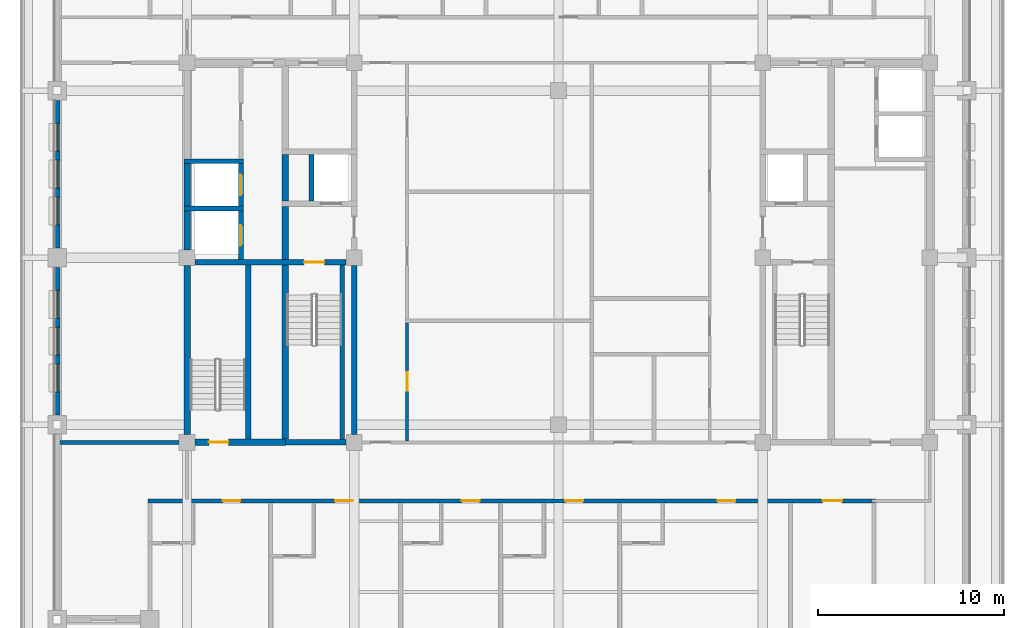
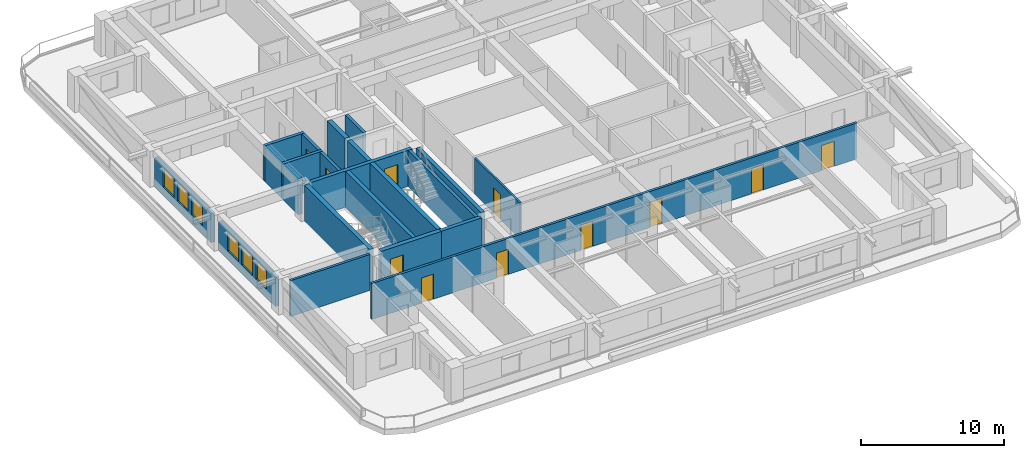
# One storey, part 3 of 14: 22 walls, 11 doors, 6 windows, 17 openings.
"""IFC4 building model written with IfcOpenShell, lengths in metres."""

from ifc_helpers import new_model, si_unit, direction, frame, frame_2d, origin, place, context, subcontext, project, spatial, rectangle, extrude, material, layer, layer_set, type_object, element, fill, save


model = new_model("IFC4")

# Units and contexts
model_context = context("Model", 3, precision=1e-05, world=origin(), true_north=direction((0.0, 1.0)))
body_context = subcontext(model_context, "Body", "Model", "MODEL_VIEW")
ifc_project = project(units=[si_unit("LENGTHUNIT", "METRE"), si_unit("AREAUNIT", "SQUARE_METRE"), si_unit("VOLUMEUNIT", "CUBIC_METRE"), si_unit("PLANEANGLEUNIT", "RADIAN"), si_unit("MASSUNIT", "GRAM", prefix="KILO")], contexts=[model_context])

# Site, building, storey
site_placement = place(None, origin())
site = spatial("IfcSite", under=ifc_project, at=site_placement, CompositionType="ELEMENT")
building_placement = place(site_placement, origin())
building = spatial("IfcBuilding", under=site, at=building_placement, Name="Zulmaris Gate Convention Tower", CompositionType="ELEMENT")
storey_placement = place(building_placement, frame((0.0, 0.0, 208.4599609375)))
storey = spatial("IfcBuildingStorey", under=building, at=storey_placement, Name="L54", CompositionType="ELEMENT", Elevation=208.4599609375)

# Walls
ifc_material_1 = material(Name="Concrete C50/60", Category="concrete")
ifc_layer_1 = layer(ifc_material_1, 0.25, Name="Concrete C50/60")
ifc_layer_set_1 = layer_set([ifc_layer_1], Name="Concrete C50/60")
wall_type_1 = type_object("IfcWallType", Name="CORE-250", PredefinedType="SOLIDWALL", material=ifc_layer_set_1)
for number, where, z_axis, x_axis, name in (
    (1, (-20.175048828125, 2.64990234375, 0.0), (0.0, 0.0, 1.0), (1.0, 0.0, 0.0), "WL-L54-007"),
    (2, (-20.175048828125, 5.199951171875, 0.0), (0.0, 0.0, 1.0), (1.0, 0.0, 0.0), "WL-L54-010"),
):
    element("IfcWall", number, at=place(storey_placement, frame(where, z_axis=z_axis, x_axis=x_axis)), inside=storey, type_object=wall_type_1, Name=name, PredefinedType="SOLIDWALL", context=body_context, shape_type="SweptSolid", body=[
        extrude(rectangle(XDim=3.199951171875, YDim=0.25, at=frame_2d((1.60009765625, 0.0))), origin(), (0.0, 0.0, 1.0), 3.074951171875),
    ])

# Wall, opening, door
wall_1_placement = place(storey_placement, frame((-17.10009765625, -0.097900390625, 0.0), z_axis=(0.0, 0.0, 1.0), x_axis=(0.0, 1.0, 0.0)))
wall_1 = element("IfcWall", 3, at=wall_1_placement, inside=storey, type_object=wall_type_1, Name="WL-L54-046", PredefinedType="SOLIDWALL", context=body_context, shape_type="SweptSolid", body=[
    extrude(rectangle(XDim=2.620849609375, YDim=0.25, at=frame_2d((1.310546875, 0.0))), origin(), (0.0, 0.0, 1.0), 3.074951171875),
])
opening_1_placement = place(wall_1_placement, frame((0.748046875, 0.0, 0.0)))
opening_1 = element("IfcOpeningElement", 4, at=opening_1_placement, cuts=wall_1, Name="Opening D-06", PredefinedType="OPENING", context=body_context, shape_type="SweptSolid", body=[
    extrude(rectangle(XDim=1.10009765625, YDim=2.199951171875, at=frame_2d((0.550048828125, 1.10009765625))), frame((0.0, 0.135009765625, 0.0), z_axis=(0.0, -1.0, 0.0), x_axis=(1.0, 0.0, 0.0)), (0.0, 0.0, 1.0), 0.27001953125),
])
ifc_material_2 = material(Name="Brushed Stainless Steel", Category="steel")
door_type_1 = type_object("IfcDoorType", Name="LD-1100", OperationType="NOTDEFINED", PredefinedType="DOOR", material=ifc_material_2)
door_1_placement = place(opening_1_placement, origin())
door_1 = element("IfcDoor", 5, at=door_1_placement, inside=storey, type_object=door_type_1, Name="L54 Lift Landing Door HP-03 10", OperationType="SLIDING_TO_LEFT", OverallHeight=2.199951171875, OverallWidth=1.10009765625, PredefinedType="DOOR", context=body_context, shape_type="SweptSolid", body=[
    extrude(rectangle(XDim=1.10009765625, YDim=2.199951171875, at=frame_2d((0.550048828125, 1.10009765625))), frame((0.0, 0.02490234375, 0.0), z_axis=(0.0, -1.0, 0.0), x_axis=(1.0, 0.0, 0.0)), (0.0, 0.0, 1.0), 0.050048828125),
])
fill(opening_1, door_1)

wall_2_placement = place(storey_placement, frame((-17.10009765625, 2.777099609375, 0.0), z_axis=(0.0, 0.0, 1.0), x_axis=(0.0, 1.0, 0.0)))
wall_2 = element("IfcWall", 6, at=wall_2_placement, inside=storey, type_object=wall_type_1, Name="WL-L54-047", PredefinedType="SOLIDWALL", context=body_context, shape_type="SweptSolid", body=[
    extrude(rectangle(XDim=2.2958984375, YDim=0.25, at=frame_2d((1.14794921875, 0.0))), origin(), (0.0, 0.0, 1.0), 3.074951171875),
])
opening_2_placement = place(wall_2_placement, frame((0.597900390625, 0.0, 0.0)))
opening_2 = element("IfcOpeningElement", 7, at=opening_2_placement, cuts=wall_2, Name="Opening D-06", PredefinedType="OPENING", context=body_context, shape_type="SweptSolid", body=[
    extrude(rectangle(XDim=1.10009765625, YDim=2.199951171875, at=frame_2d((0.550048828125, 1.10009765625))), frame((0.0, 0.135009765625, 0.0), z_axis=(0.0, -1.0, 0.0), x_axis=(1.0, 0.0, 0.0)), (0.0, 0.0, 1.0), 0.27001953125),
])
door_2_placement = place(opening_2_placement, origin())
door_2 = element("IfcDoor", 8, at=door_2_placement, inside=storey, type_object=door_type_1, Name="L54 Lift Landing Door HP-04 11", OperationType="SLIDING_TO_LEFT", OverallHeight=2.199951171875, OverallWidth=1.10009765625, PredefinedType="DOOR", context=body_context, shape_type="SweptSolid", body=[
    extrude(rectangle(XDim=1.10009765625, YDim=2.199951171875, at=frame_2d((0.550048828125, 1.10009765625))), frame((0.0, 0.02490234375, 0.0), z_axis=(0.0, -1.0, 0.0), x_axis=(1.0, 0.0, 0.0)), (0.0, 0.0, 1.0), 0.050048828125),
])
fill(opening_2, door_2)

# Walls
wall_3_placement = place(storey_placement, frame((-13.300048828125, 3.052001953125, 0.0), z_axis=(0.0, 0.0, 1.0), x_axis=(0.0, 1.0, 0.0)))
element("IfcWall", 9, at=wall_3_placement, inside=storey, type_object=wall_type_1, Name="WL-L54-053", PredefinedType="SOLIDWALL", context=body_context, shape_type="SweptSolid", body=[
    extrude(rectangle(XDim=2.49609375, YDim=0.25, at=frame_2d((1.248046875, 0.0))), origin(), (0.0, 0.0, 1.0), 3.074951171875),
])
wall_4_placement = place(storey_placement, frame((-11.64990234375, -9.798095703125, 0.0), z_axis=(0.0, 0.0, 1.0), x_axis=(0.0, 1.0, 0.0)))
element("IfcWall", 10, at=wall_4_placement, inside=storey, type_object=wall_type_1, Name="WL-L54-054", PredefinedType="SOLIDWALL", context=body_context, shape_type="SweptSolid", body=[
    extrude(rectangle(XDim=9.39599609375, YDim=0.25, at=frame_2d((4.697998046875, 0.0))), origin(), (0.0, 0.0, 1.0), 3.074951171875),
])
ifc_layer_2 = layer(ifc_material_1, 0.300048828125, Name="Concrete C50/60")
ifc_layer_set_2 = layer_set([ifc_layer_2], Name="Concrete C50/60")
wall_type_2 = type_object("IfcWallType", Name="CORE-300", PredefinedType="SHEAR", material=ifc_layer_set_2)
wall_5_placement = place(storey_placement, frame((-14.699951171875, -9.949951171875, 0.0), z_axis=(0.0, 0.0, 1.0), x_axis=(1.0, 0.0, 0.0)))
element("IfcWall", 11, at=wall_5_placement, inside=storey, type_object=wall_type_2, Name="WL-L54-002", PredefinedType="SHEAR", context=body_context, shape_type="SweptSolid", body=[
    extrude(rectangle(XDim=3.27099609375, YDim=0.300048828125, at=frame_2d((1.635498046875, 0.0))), origin(), (0.0, 0.0, 1.0), 3.074951171875),
])

# Wall, opening, door
wall_6_placement = place(storey_placement, frame((-19.571044921875, -0.25, 0.0), z_axis=(0.0, 0.0, 1.0), x_axis=(1.0, 0.0, 0.0)))
wall_6 = element("IfcWall", 12, at=wall_6_placement, inside=storey, type_object=wall_type_2, Name="WL-L54-005", PredefinedType="SHEAR", context=body_context, shape_type="SweptSolid", body=[
    extrude(rectangle(XDim=8.14208984375, YDim=0.300048828125, at=frame_2d((4.071044921875, 0.0))), origin(), (0.0, 0.0, 1.0), 3.074951171875),
])
opening_3_placement = place(wall_6_placement, frame((5.87109375, 0.0, 0.0)))
opening_3 = element("IfcOpeningElement", 13, at=opening_3_placement, cuts=wall_6, Name="Opening D-08", PredefinedType="OPENING", context=body_context, shape_type="SweptSolid", body=[
    extrude(rectangle(XDim=1.10009765625, YDim=2.14990234375, at=frame_2d((0.550048828125, 1.074951171875))), frame((0.0, 0.16015625, 0.0), z_axis=(0.0, -1.0, 0.0), x_axis=(1.0, 0.0, 0.0)), (0.0, 0.0, 1.0), 0.320068359375),
])
ifc_material_3 = material(Name="Fire-Rated Steel", Category="steel")
door_type_2 = type_object("IfcDoorType", Name="DR-1100-FD", OperationType="NOTDEFINED", PredefinedType="DOOR", material=ifc_material_3)
door_3_placement = place(opening_3_placement, origin())
door_3 = element("IfcDoor", 14, at=door_3_placement, inside=storey, type_object=door_type_2, Name="L54 Exit Stair ST-1 Door 01", OperationType="SINGLE_SWING_RIGHT", OverallHeight=2.14990234375, OverallWidth=1.10009765625, PredefinedType="DOOR", context=body_context, shape_type="SweptSolid", body=[
    extrude(rectangle(XDim=1.10009765625, YDim=2.14990234375, at=frame_2d((0.550048828125, 1.074951171875))), frame((0.0, 0.02490234375, 0.0), z_axis=(0.0, -1.0, 0.0), x_axis=(1.0, 0.0, 0.0)), (0.0, 0.0, 1.0), 0.050048828125),
])
fill(opening_3, door_3)

# Walls
wall_7_placement = place(storey_placement, frame((-16.699951171875, -9.77294921875, 0.0), z_axis=(0.0, 0.0, 1.0), x_axis=(0.0, 1.0, 0.0)))
element("IfcWall", 15, at=wall_7_placement, inside=storey, type_object=wall_type_2, Name="WL-L54-048", PredefinedType="SHEAR", context=body_context, shape_type="SweptSolid", body=[
    extrude(rectangle(XDim=9.370849609375, YDim=0.300048828125, at=frame_2d((4.685546875, 0.0))), origin(), (0.0, 0.0, 1.0), 3.074951171875),
])
wall_8_placement = place(storey_placement, frame((-11.0, -9.52099609375, 0.0), z_axis=(0.0, 0.0, 1.0), x_axis=(0.0, 1.0, 0.0)))
element("IfcWall", 16, at=wall_8_placement, inside=storey, type_object=wall_type_2, Name="WL-L54-055", PredefinedType="SHEAR", context=body_context, shape_type="SweptSolid", body=[
    extrude(rectangle(XDim=9.092041015625, YDim=0.300048828125, at=frame_2d((4.5458984375, 0.0))), origin(), (0.0, 0.0, 1.0), 3.074951171875),
])

# Wall, opening, door
ifc_material_4 = material(Name="Concrete C55/67", Category="concrete")
ifc_layer_3 = layer(ifc_material_4, 0.35009765625, Name="Concrete C55/67")
ifc_layer_set_3 = layer_set([ifc_layer_3], Name="Concrete C55/67")
wall_type_3 = type_object("IfcWallType", Name="CORE-350", PredefinedType="SHEAR", material=ifc_layer_set_3)
wall_9_placement = place(storey_placement, frame((-19.571044921875, -9.949951171875, 0.0), z_axis=(0.0, 0.0, 1.0), x_axis=(1.0, 0.0, 0.0)))
wall_9 = element("IfcWall", 17, at=wall_9_placement, inside=storey, type_object=wall_type_3, Name="WL-L54-001", PredefinedType="SHEAR", context=body_context, shape_type="SweptSolid", body=[
    extrude(rectangle(XDim=4.87109375, YDim=0.35009765625, at=frame_2d((2.435546875, 0.0))), origin(), (0.0, 0.0, 1.0), 3.074951171875),
])
opening_4_placement = place(wall_9_placement, frame((0.74609375, 0.0, 0.0)))
opening_4 = element("IfcOpeningElement", 18, at=opening_4_placement, cuts=wall_9, Name="Opening D-09", PredefinedType="OPENING", context=body_context, shape_type="SweptSolid", body=[
    extrude(rectangle(XDim=1.050048828125, YDim=2.14990234375, at=frame_2d((0.52490234375, 1.074951171875))), frame((0.0, 0.18505859375, 0.0), z_axis=(0.0, -1.0, 0.0), x_axis=(1.0, 0.0, 0.0)), (0.0, 0.0, 1.0), 0.3701171875),
])
door_type_3 = type_object("IfcDoorType", Name="DR-1050-FD", OperationType="NOTDEFINED", PredefinedType="DOOR", material=ifc_material_3)
door_4_placement = place(opening_4_placement, origin())
door_4 = element("IfcDoor", 19, at=door_4_placement, inside=storey, type_object=door_type_3, Name="L54 Exit Stair ST-3 Door 09", OperationType="SINGLE_SWING_RIGHT", OverallHeight=2.14990234375, OverallWidth=1.050048828125, PredefinedType="DOOR", context=body_context, shape_type="SweptSolid", body=[
    extrude(rectangle(XDim=1.050048828125, YDim=2.14990234375, at=frame_2d((0.52490234375, 1.074951171875))), frame((0.0, 0.02490234375, 0.0), z_axis=(0.0, -1.0, 0.0), x_axis=(1.0, 0.0, 0.0)), (0.0, 0.0, 1.0), 0.050048828125),
])
fill(opening_4, door_4)

# Walls
wall_10_placement = place(storey_placement, frame((-20.0, -9.52099609375, 0.0), z_axis=(0.0, 0.0, 1.0), x_axis=(0.0, 1.0, 0.0)))
element("IfcWall", 20, at=wall_10_placement, inside=storey, type_object=wall_type_3, Name="WL-L54-042", PredefinedType="SHEAR", context=body_context, shape_type="SweptSolid", body=[
    extrude(rectangle(XDim=9.092041015625, YDim=0.35009765625, at=frame_2d((4.5458984375, 0.0))), origin(), (0.0, 0.0, 1.0), 3.074951171875),
])
wall_11_placement = place(storey_placement, frame((-20.0, 0.428955078125, 0.0), z_axis=(0.0, 0.0, 1.0), x_axis=(0.0, 1.0, 0.0)))
element("IfcWall", 21, at=wall_11_placement, inside=storey, type_object=wall_type_3, Name="WL-L54-043", PredefinedType="SHEAR", context=body_context, shape_type="SweptSolid", body=[
    extrude(rectangle(XDim=2.093994140625, YDim=0.35009765625, at=frame_2d((1.046875, 0.0))), origin(), (0.0, 0.0, 1.0), 3.074951171875),
])
wall_12_placement = place(storey_placement, frame((-20.0, 2.777099609375, 0.0), z_axis=(0.0, 0.0, 1.0), x_axis=(0.0, 1.0, 0.0)))
element("IfcWall", 22, at=wall_12_placement, inside=storey, type_object=wall_type_3, Name="WL-L54-044", PredefinedType="SHEAR", context=body_context, shape_type="SweptSolid", body=[
    extrude(rectangle(XDim=2.2958984375, YDim=0.35009765625, at=frame_2d((1.14794921875, 0.0))), origin(), (0.0, 0.0, 1.0), 3.074951171875),
])
wall_13_placement = place(storey_placement, frame((-14.699951171875, -9.77294921875, 0.0), z_axis=(0.0, 0.0, 1.0), x_axis=(0.0, 1.0, 0.0)))
element("IfcWall", 23, at=wall_13_placement, inside=storey, type_object=wall_type_3, Name="WL-L54-049", PredefinedType="SHEAR", context=body_context, shape_type="SweptSolid", body=[
    extrude(rectangle(XDim=9.370849609375, YDim=0.35009765625, at=frame_2d((4.685546875, 0.0))), origin(), (0.0, 0.0, 1.0), 3.074951171875),
])
wall_14_placement = place(storey_placement, frame((-14.699951171875, -0.097900390625, 0.0), z_axis=(0.0, 0.0, 1.0), x_axis=(0.0, 1.0, 0.0)))
element("IfcWall", 24, at=wall_14_placement, inside=storey, type_object=wall_type_3, Name="WL-L54-050", PredefinedType="SHEAR", context=body_context, shape_type="SweptSolid", body=[
    extrude(rectangle(XDim=2.845947265625, YDim=0.35009765625, at=frame_2d((1.4228515625, 0.0))), origin(), (0.0, 0.0, 1.0), 3.074951171875),
])
wall_15_placement = place(storey_placement, frame((-14.699951171875, 3.052001953125, 0.0), z_axis=(0.0, 0.0, 1.0), x_axis=(0.0, 1.0, 0.0)))
element("IfcWall", 25, at=wall_15_placement, inside=storey, type_object=wall_type_3, Name="WL-L54-051", PredefinedType="SHEAR", context=body_context, shape_type="SweptSolid", body=[
    extrude(rectangle(XDim=2.49609375, YDim=0.35009765625, at=frame_2d((1.248046875, 0.0))), origin(), (0.0, 0.0, 1.0), 3.074951171875),
])

# Wall, opening, door
ifc_material_5 = material(Name="Gypsum Metal Stud Partition")
ifc_layer_4 = layer(ifc_material_5, 0.14990234375, Name="Gypsum Metal Stud Partition")
ifc_layer_set_4 = layer_set([ifc_layer_4], Name="Gypsum Metal Stud Partition")
wall_type_4 = type_object("IfcWallType", Name="PART-150", PredefinedType="PARTITIONING", material=ifc_layer_set_4)
wall_16_placement = place(storey_placement, frame((-8.14990234375, -9.8720703125, 0.0), z_axis=(0.0, 0.0, 1.0), x_axis=(0.0, 1.0, 0.0)))
wall_16 = element("IfcWall", 26, at=wall_16_placement, inside=storey, type_object=wall_type_4, Name="WL-L54-089", PredefinedType="PARTITIONING", context=body_context, shape_type="SweptSolid", body=[
    extrude(rectangle(XDim=6.369140625, YDim=0.14990234375, at=frame_2d((3.1845703125, 0.0))), origin(), (0.0, 0.0, 1.0), 3.074951171875),
])
opening_5_placement = place(wall_16_placement, frame((2.701904296875, 0.0, 0.0)))
opening_5 = element("IfcOpeningElement", 27, at=opening_5_placement, cuts=wall_16, Name="Opening D-10", PredefinedType="OPENING", context=body_context, shape_type="SweptSolid", body=[
    extrude(rectangle(XDim=1.0, YDim=2.14990234375, at=frame_2d((0.5, 1.074951171875))), frame((0.0, 0.0849609375, 0.0), z_axis=(0.0, -1.0, 0.0), x_axis=(1.0, 0.0, 0.0)), (0.0, 0.0, 1.0), 0.169921875),
])
ifc_material_6 = material(Name="Fire-Rated Timber", Category="wood")
door_type_4 = type_object("IfcDoorType", Name="DR-1000-FD", OperationType="NOTDEFINED", PredefinedType="DOOR", material=ifc_material_6)
door_5_placement = place(opening_5_placement, origin())
door_5 = element("IfcDoor", 28, at=door_5_placement, inside=storey, type_object=door_type_4, Name="L54 Guest Study Door 43", OperationType="SINGLE_SWING_RIGHT", OverallHeight=2.14990234375, OverallWidth=1.0, PredefinedType="DOOR", context=body_context, shape_type="SweptSolid", body=[
    extrude(rectangle(XDim=1.0, YDim=2.14990234375, at=frame_2d((0.5, 1.074951171875))), frame((0.0, 0.02490234375, 0.0), z_axis=(0.0, -1.0, 0.0), x_axis=(1.0, 0.0, 0.0)), (0.0, 0.0, 1.0), 0.050048828125),
])
fill(opening_5, door_5)

# Wall, openings, doors
ifc_material_7 = material(Name="Autoclaved Aerated Concrete Block and Plasterboard", Category="concrete")
ifc_layer_5 = layer(ifc_material_7, 0.199951171875, Name="Autoclaved Aerated Concrete Block and Plasterboard")
ifc_layer_set_5 = layer_set([ifc_layer_5], Name="Autoclaved Aerated Concrete Block and Plasterboard")
wall_type_5 = type_object("IfcWallType", Name="PART-200", PredefinedType="PARTITIONING", material=ifc_layer_set_5)
wall_17_placement = place(storey_placement, frame((-22.10009765625, -13.10009765625, 0.0), z_axis=(0.0, 0.0, 1.0), x_axis=(1.0, 0.0, 0.0)))
wall_17 = element("IfcWall", 29, at=wall_17_placement, inside=storey, type_object=wall_type_5, Name="WL-L54-024", PredefinedType="PARTITIONING", context=body_context, shape_type="SweptSolid", body=[
    extrude(rectangle(XDim=39.2001953125, YDim=0.199951171875, at=frame_2d((19.60009765625, 0.0))), origin(), (0.0, 0.0, 1.0), 3.074951171875),
])
opening_6_placement = place(wall_17_placement, frame((4.02490234375, 0.0, 0.0)))
opening_6 = element("IfcOpeningElement", 30, at=opening_6_placement, cuts=wall_17, Name="Opening D-11", PredefinedType="OPENING", context=body_context, shape_type="SweptSolid", body=[
    extrude(rectangle(XDim=0.949951171875, YDim=2.14990234375, at=frame_2d((0.47509765625, 1.074951171875))), frame((0.0, 0.10986328125, 0.0), z_axis=(0.0, -1.0, 0.0), x_axis=(1.0, 0.0, 0.0)), (0.0, 0.0, 1.0), 0.219970703125),
])
opening_7_placement = place(wall_17_placement, frame((10.074951171875, 0.0, 0.0)))
opening_7 = element("IfcOpeningElement", 31, at=opening_7_placement, cuts=wall_17, Name="Opening D-11", PredefinedType="OPENING", context=body_context, shape_type="SweptSolid", body=[
    extrude(rectangle(XDim=0.949951171875, YDim=2.14990234375, at=frame_2d((0.47509765625, 1.074951171875))), frame((0.0, 0.10986328125, 0.0), z_axis=(0.0, -1.0, 0.0), x_axis=(1.0, 0.0, 0.0)), (0.0, 0.0, 1.0), 0.219970703125),
])
opening_8_placement = place(wall_17_placement, frame((16.905029296875, 0.0, 0.0)))
opening_8 = element("IfcOpeningElement", 32, at=opening_8_placement, cuts=wall_17, Name="Opening D-11", PredefinedType="OPENING", context=body_context, shape_type="SweptSolid", body=[
    extrude(rectangle(XDim=0.949951171875, YDim=2.14990234375, at=frame_2d((0.47509765625, 1.074951171875))), frame((0.0, 0.10986328125, 0.0), z_axis=(0.0, -1.0, 0.0), x_axis=(1.0, 0.0, 0.0)), (0.0, 0.0, 1.0), 0.219970703125),
])
opening_9_placement = place(wall_17_placement, frame((22.47509765625, 0.0, 0.0)))
opening_9 = element("IfcOpeningElement", 33, at=opening_9_placement, cuts=wall_17, Name="Opening D-11", PredefinedType="OPENING", context=body_context, shape_type="SweptSolid", body=[
    extrude(rectangle(XDim=0.949951171875, YDim=2.14990234375, at=frame_2d((0.47509765625, 1.074951171875))), frame((0.0, 0.10986328125, 0.0), z_axis=(0.0, -1.0, 0.0), x_axis=(1.0, 0.0, 0.0)), (0.0, 0.0, 1.0), 0.219970703125),
])
opening_10_placement = place(wall_17_placement, frame((30.675048828125, 0.0, 0.0)))
opening_10 = element("IfcOpeningElement", 34, at=opening_10_placement, cuts=wall_17, Name="Opening D-11", PredefinedType="OPENING", context=body_context, shape_type="SweptSolid", body=[
    extrude(rectangle(XDim=0.949951171875, YDim=2.14990234375, at=frame_2d((0.47509765625, 1.074951171875))), frame((0.0, 0.10986328125, 0.0), z_axis=(0.0, -1.0, 0.0), x_axis=(1.0, 0.0, 0.0)), (0.0, 0.0, 1.0), 0.219970703125),
])
opening_11_placement = place(wall_17_placement, frame((36.324951171875, 0.0, 0.0)))
opening_11 = element("IfcOpeningElement", 35, at=opening_11_placement, cuts=wall_17, Name="Opening D-09", PredefinedType="OPENING", context=body_context, shape_type="SweptSolid", body=[
    extrude(rectangle(XDim=1.050048828125, YDim=2.14990234375, at=frame_2d((0.52490234375, 1.074951171875))), frame((0.0, 0.10986328125, 0.0), z_axis=(0.0, -1.0, 0.0), x_axis=(1.0, 0.0, 0.0)), (0.0, 0.0, 1.0), 0.219970703125),
])
door_6_placement = place(opening_11_placement, origin())
door_6 = element("IfcDoor", 36, at=door_6_placement, inside=storey, type_object=door_type_3, Name="L54 Briefing Room Door 40", OperationType="SINGLE_SWING_LEFT", OverallHeight=2.14990234375, OverallWidth=1.050048828125, PredefinedType="DOOR", context=body_context, shape_type="SweptSolid", body=[
    extrude(rectangle(XDim=1.050048828125, YDim=2.14990234375, at=frame_2d((0.52490234375, 1.074951171875))), frame((0.0, 0.02490234375, 0.0), z_axis=(0.0, -1.0, 0.0), x_axis=(1.0, 0.0, 0.0)), (0.0, 0.0, 1.0), 0.050048828125),
])
fill(opening_11, door_6)
door_type_5 = type_object("IfcDoorType", Name="DR-950-FD", OperationType="NOTDEFINED", PredefinedType="DOOR", material=ifc_material_6)
door_7_placement = place(opening_6_placement, origin())
door_7 = element("IfcDoor", 37, at=door_7_placement, inside=storey, type_object=door_type_5, Name="L54 Hotel Executive Suite Door 30", OperationType="SINGLE_SWING_LEFT", OverallHeight=2.14990234375, OverallWidth=0.949951171875, PredefinedType="DOOR", context=body_context, shape_type="SweptSolid", body=[
    extrude(rectangle(XDim=0.949951171875, YDim=2.14990234375, at=frame_2d((0.47509765625, 1.074951171875))), frame((0.0, 0.02490234375, 0.0), z_axis=(0.0, -1.0, 0.0), x_axis=(1.0, 0.0, 0.0)), (0.0, 0.0, 1.0), 0.050048828125),
])
fill(opening_6, door_7)
door_8_placement = place(opening_7_placement, origin())
door_8 = element("IfcDoor", 38, at=door_8_placement, inside=storey, type_object=door_type_5, Name="L54 Hotel Executive Suite Door 32", OperationType="SINGLE_SWING_LEFT", OverallHeight=2.14990234375, OverallWidth=0.949951171875, PredefinedType="DOOR", context=body_context, shape_type="SweptSolid", body=[
    extrude(rectangle(XDim=0.949951171875, YDim=2.14990234375, at=frame_2d((0.47509765625, 1.074951171875))), frame((0.0, 0.02490234375, 0.0), z_axis=(0.0, -1.0, 0.0), x_axis=(1.0, 0.0, 0.0)), (0.0, 0.0, 1.0), 0.050048828125),
])
fill(opening_7, door_8)
door_9_placement = place(opening_8_placement, origin())
door_9 = element("IfcDoor", 39, at=door_9_placement, inside=storey, type_object=door_type_5, Name="L54 Hotel Executive Suite Door 34", OperationType="SINGLE_SWING_LEFT", OverallHeight=2.14990234375, OverallWidth=0.949951171875, PredefinedType="DOOR", context=body_context, shape_type="SweptSolid", body=[
    extrude(rectangle(XDim=0.949951171875, YDim=2.14990234375, at=frame_2d((0.47509765625, 1.074951171875))), frame((0.0, 0.02490234375, 0.0), z_axis=(0.0, -1.0, 0.0), x_axis=(1.0, 0.0, 0.0)), (0.0, 0.0, 1.0), 0.050048828125),
])
fill(opening_8, door_9)
door_10_placement = place(opening_9_placement, origin())
door_10 = element("IfcDoor", 40, at=door_10_placement, inside=storey, type_object=door_type_5, Name="L54 Hotel Executive Suite Door 36", OperationType="SINGLE_SWING_LEFT", OverallHeight=2.14990234375, OverallWidth=0.949951171875, PredefinedType="DOOR", context=body_context, shape_type="SweptSolid", body=[
    extrude(rectangle(XDim=0.949951171875, YDim=2.14990234375, at=frame_2d((0.47509765625, 1.074951171875))), frame((0.0, 0.02490234375, 0.0), z_axis=(0.0, -1.0, 0.0), x_axis=(1.0, 0.0, 0.0)), (0.0, 0.0, 1.0), 0.050048828125),
])
fill(opening_9, door_10)
door_11_placement = place(opening_10_placement, origin())
door_11 = element("IfcDoor", 41, at=door_11_placement, inside=storey, type_object=door_type_5, Name="L54 Hotel Executive Suite Door 38", OperationType="SINGLE_SWING_LEFT", OverallHeight=2.14990234375, OverallWidth=0.949951171875, PredefinedType="DOOR", context=body_context, shape_type="SweptSolid", body=[
    extrude(rectangle(XDim=0.949951171875, YDim=2.14990234375, at=frame_2d((0.47509765625, 1.074951171875))), frame((0.0, 0.02490234375, 0.0), z_axis=(0.0, -1.0, 0.0), x_axis=(1.0, 0.0, 0.0)), (0.0, 0.0, 1.0), 0.050048828125),
])
fill(opening_10, door_11)

# Wall
wall_18_placement = place(storey_placement, frame((-26.8349609375, -9.949951171875, 0.0), z_axis=(0.0, 0.0, 1.0), x_axis=(1.0, 0.0, 0.0)))
element("IfcWall", 42, at=wall_18_placement, inside=storey, type_object=wall_type_5, Name="WL-L54-026", PredefinedType="PARTITIONING", context=body_context, shape_type="SweptSolid", body=[
    extrude(rectangle(XDim=6.404052734375, YDim=0.199951171875, at=frame_2d((3.2021484375, 0.0))), origin(), (0.0, 0.0, 1.0), 3.074951171875),
])

# Wall, openings, windows
ifc_material_8 = material(Name="Precast concrete C40/50", Category="concrete")
ifc_layer_6 = layer(ifc_material_8, 0.300048828125, Name="Precast concrete C40/50")
ifc_layer_set_6 = layer_set([ifc_layer_6], Name="Precast concrete C40/50")
wall_type_6 = type_object("IfcWallType", Name="PRECAST-PIER-300", PredefinedType="STANDARD", material=ifc_layer_set_6)
wall_19_placement = place(storey_placement, frame((-27.0, -0.530029296875, 0.0), z_axis=(0.0, 0.0, 1.0), x_axis=(0.0, -1.0, 0.0)))
wall_19 = element("IfcWall", 43, at=wall_19_placement, inside=storey, type_object=wall_type_6, Name="EW-L54-W-1_0", PredefinedType="STANDARD", context=body_context, shape_type="SweptSolid", body=[
    extrude(rectangle(XDim=7.93994140625, YDim=0.300048828125, at=frame_2d((3.969970703125, 0.0))), origin(), (0.0, 0.0, 1.0), 2.467041015625),
])
opening_12_placement = place(wall_19_placement, frame((1.235107421875, 0.0, 0.719970703125)))
opening_12 = element("IfcOpeningElement", 44, at=opening_12_placement, cuts=wall_19, Name="Opening W-03", PredefinedType="OPENING", context=body_context, shape_type="SweptSolid", body=[
    extrude(rectangle(XDim=1.5, YDim=1.60009765625, at=frame_2d((0.75, 0.800048828125))), frame((0.0, 0.16015625, 0.0), z_axis=(0.0, -1.0, 0.0), x_axis=(1.0, 0.0, 0.0)), (0.0, 0.0, 1.0), 0.320068359375),
])
opening_13_placement = place(wall_19_placement, frame((3.219970703125, 0.0, 0.719970703125)))
opening_13 = element("IfcOpeningElement", 45, at=opening_13_placement, cuts=wall_19, Name="Opening W-03", PredefinedType="OPENING", context=body_context, shape_type="SweptSolid", body=[
    extrude(rectangle(XDim=1.5, YDim=1.60009765625, at=frame_2d((0.75, 0.800048828125))), frame((0.0, 0.16015625, 0.0), z_axis=(0.0, -1.0, 0.0), x_axis=(1.0, 0.0, 0.0)), (0.0, 0.0, 1.0), 0.320068359375),
])
opening_14_placement = place(wall_19_placement, frame((5.205078125, 0.0, 0.719970703125)))
opening_14 = element("IfcOpeningElement", 46, at=opening_14_placement, cuts=wall_19, Name="Opening W-03", PredefinedType="OPENING", context=body_context, shape_type="SweptSolid", body=[
    extrude(rectangle(XDim=1.5, YDim=1.60009765625, at=frame_2d((0.75, 0.800048828125))), frame((0.0, 0.16015625, 0.0), z_axis=(0.0, -1.0, 0.0), x_axis=(1.0, 0.0, 0.0)), (0.0, 0.0, 1.0), 0.320068359375),
])
ifc_material_9 = material(Name="Low-E Laminated Double Glazing in Aluminium Frame", Category="aluminium")
window_type = type_object("IfcWindowType", Name="WIN-1500x2100", PartitioningType="SINGLE_PANEL", PredefinedType="WINDOW", material=ifc_material_9)
window_1_placement = place(opening_12_placement, origin())
window_1 = element("IfcWindow", 47, at=window_1_placement, inside=storey, type_object=window_type, Name="WN-EW-L54-W-1_0-1", OverallHeight=1.60009765625, OverallWidth=1.5, PartitioningType="SINGLE_PANEL", PredefinedType="WINDOW", context=body_context, shape_type="SweptSolid", body=[
    extrude(rectangle(XDim=1.5, YDim=1.60009765625, at=frame_2d((0.75, 0.800048828125))), frame((0.0, 0.030029296875, 0.0), z_axis=(0.0, -1.0, 0.0), x_axis=(1.0, 0.0, 0.0)), (0.0, 0.0, 1.0), 0.06005859375),
])
fill(opening_12, window_1)
window_2_placement = place(opening_13_placement, origin())
window_2 = element("IfcWindow", 48, at=window_2_placement, inside=storey, type_object=window_type, Name="WN-EW-L54-W-1_0-2", OverallHeight=1.60009765625, OverallWidth=1.5, PartitioningType="SINGLE_PANEL", PredefinedType="WINDOW", context=body_context, shape_type="SweptSolid", body=[
    extrude(rectangle(XDim=1.5, YDim=1.60009765625, at=frame_2d((0.75, 0.800048828125))), frame((0.0, 0.030029296875, 0.0), z_axis=(0.0, -1.0, 0.0), x_axis=(1.0, 0.0, 0.0)), (0.0, 0.0, 1.0), 0.06005859375),
])
fill(opening_13, window_2)
window_3_placement = place(opening_14_placement, origin())
window_3 = element("IfcWindow", 49, at=window_3_placement, inside=storey, type_object=window_type, Name="WN-EW-L54-W-1_0-3", OverallHeight=1.60009765625, OverallWidth=1.5, PartitioningType="SINGLE_PANEL", PredefinedType="WINDOW", context=body_context, shape_type="SweptSolid", body=[
    extrude(rectangle(XDim=1.5, YDim=1.60009765625, at=frame_2d((0.75, 0.800048828125))), frame((0.0, 0.030029296875, 0.0), z_axis=(0.0, -1.0, 0.0), x_axis=(1.0, 0.0, 0.0)), (0.0, 0.0, 1.0), 0.06005859375),
])
fill(opening_14, window_3)

wall_20_placement = place(storey_placement, frame((-27.0, 8.469970703125, 0.0), z_axis=(0.0, 0.0, 1.0), x_axis=(0.0, -1.0, 0.0)))
wall_20 = element("IfcWall", 50, at=wall_20_placement, inside=storey, type_object=wall_type_6, Name="EW-L54-W-2_0", PredefinedType="STANDARD", context=body_context, shape_type="SweptSolid", body=[
    extrude(rectangle(XDim=7.93994140625, YDim=0.300048828125, at=frame_2d((3.969970703125, 0.0))), origin(), (0.0, 0.0, 1.0), 2.467041015625),
])
opening_15_placement = place(wall_20_placement, frame((1.235107421875, 0.0, 0.719970703125)))
opening_15 = element("IfcOpeningElement", 51, at=opening_15_placement, cuts=wall_20, Name="Opening W-03", PredefinedType="OPENING", context=body_context, shape_type="SweptSolid", body=[
    extrude(rectangle(XDim=1.5, YDim=1.60009765625, at=frame_2d((0.75, 0.800048828125))), frame((0.0, 0.16015625, 0.0), z_axis=(0.0, -1.0, 0.0), x_axis=(1.0, 0.0, 0.0)), (0.0, 0.0, 1.0), 0.320068359375),
])
opening_16_placement = place(wall_20_placement, frame((3.219970703125, 0.0, 0.719970703125)))
opening_16 = element("IfcOpeningElement", 52, at=opening_16_placement, cuts=wall_20, Name="Opening W-03", PredefinedType="OPENING", context=body_context, shape_type="SweptSolid", body=[
    extrude(rectangle(XDim=1.5, YDim=1.60009765625, at=frame_2d((0.75, 0.800048828125))), frame((0.0, 0.16015625, 0.0), z_axis=(0.0, -1.0, 0.0), x_axis=(1.0, 0.0, 0.0)), (0.0, 0.0, 1.0), 0.320068359375),
])
opening_17_placement = place(wall_20_placement, frame((5.205078125, 0.0, 0.719970703125)))
opening_17 = element("IfcOpeningElement", 53, at=opening_17_placement, cuts=wall_20, Name="Opening W-03", PredefinedType="OPENING", context=body_context, shape_type="SweptSolid", body=[
    extrude(rectangle(XDim=1.5, YDim=1.60009765625, at=frame_2d((0.75, 0.800048828125))), frame((0.0, 0.16015625, 0.0), z_axis=(0.0, -1.0, 0.0), x_axis=(1.0, 0.0, 0.0)), (0.0, 0.0, 1.0), 0.320068359375),
])
window_4_placement = place(opening_15_placement, origin())
window_4 = element("IfcWindow", 54, at=window_4_placement, inside=storey, type_object=window_type, Name="WN-EW-L54-W-2_0-1", OverallHeight=1.60009765625, OverallWidth=1.5, PartitioningType="SINGLE_PANEL", PredefinedType="WINDOW", context=body_context, shape_type="SweptSolid", body=[
    extrude(rectangle(XDim=1.5, YDim=1.60009765625, at=frame_2d((0.75, 0.800048828125))), frame((0.0, 0.030029296875, 0.0), z_axis=(0.0, -1.0, 0.0), x_axis=(1.0, 0.0, 0.0)), (0.0, 0.0, 1.0), 0.06005859375),
])
fill(opening_15, window_4)
window_5_placement = place(opening_16_placement, origin())
window_5 = element("IfcWindow", 55, at=window_5_placement, inside=storey, type_object=window_type, Name="WN-EW-L54-W-2_0-2", OverallHeight=1.60009765625, OverallWidth=1.5, PartitioningType="SINGLE_PANEL", PredefinedType="WINDOW", context=body_context, shape_type="SweptSolid", body=[
    extrude(rectangle(XDim=1.5, YDim=1.60009765625, at=frame_2d((0.75, 0.800048828125))), frame((0.0, 0.030029296875, 0.0), z_axis=(0.0, -1.0, 0.0), x_axis=(1.0, 0.0, 0.0)), (0.0, 0.0, 1.0), 0.06005859375),
])
fill(opening_16, window_5)
window_6_placement = place(opening_17_placement, origin())
window_6 = element("IfcWindow", 56, at=window_6_placement, inside=storey, type_object=window_type, Name="WN-EW-L54-W-2_0-3", OverallHeight=1.60009765625, OverallWidth=1.5, PartitioningType="SINGLE_PANEL", PredefinedType="WINDOW", context=body_context, shape_type="SweptSolid", body=[
    extrude(rectangle(XDim=1.5, YDim=1.60009765625, at=frame_2d((0.75, 0.800048828125))), frame((0.0, 0.030029296875, 0.0), z_axis=(0.0, -1.0, 0.0), x_axis=(1.0, 0.0, 0.0)), (0.0, 0.0, 1.0), 0.06005859375),
])
fill(opening_17, window_6)

save(model, "model.ifc")
